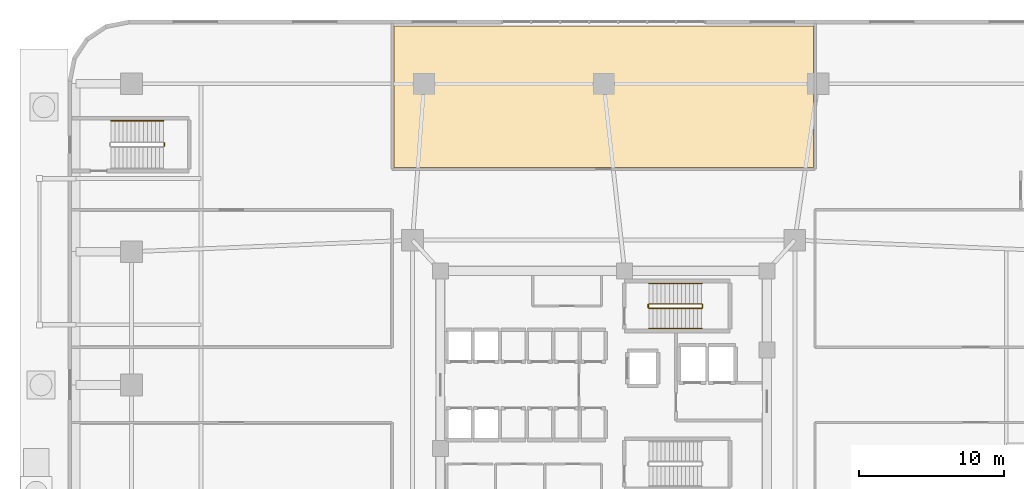
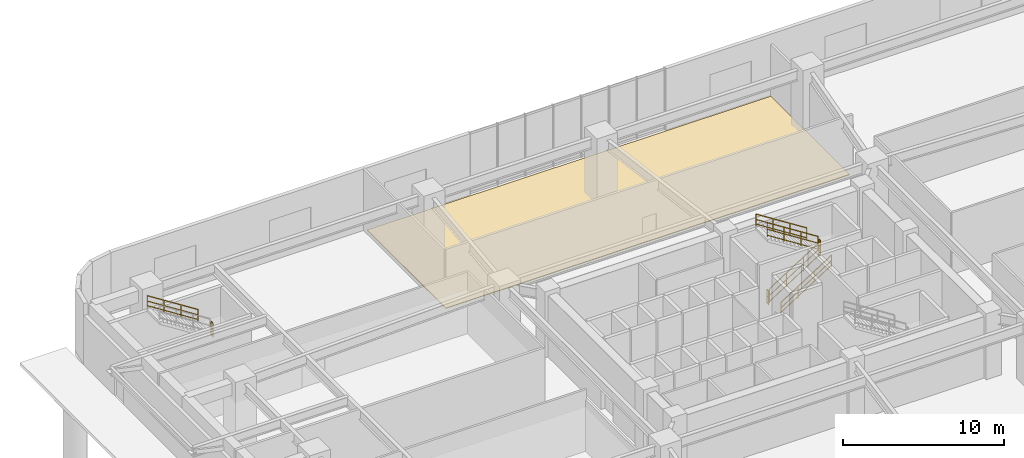
# One storey, part 17 of 18: 8 railings, 1 covering.
"""IFC4 building model written with IfcOpenShell, lengths in metres."""

import ifcopenshell
import ifcopenshell.guid

model = None  # the IFC model being written
_history = None  # IfcOwnerHistory: only IFC2X3 demands one
_inside = {}  # id of a spatial element -> (the spatial element, [elements in it])
_under = {}  # id of a project, library or spatial element -> (it, [spatial elements below it])
_declared = {}  # id of a project -> (the project, [libraries it declares])
_typed = {}  # id of a type object -> (the type object, [elements of that type])
_made_of = {}  # id of a material, layer set ... -> (it, [elements and type objects made of it])


def new_model(schema):
    """Start an empty IFC model of exactly this schema.

    Asked for "IFC4X3", IfcOpenShell would pick the latest addendum, in which some entities
    have other attributes; the version numbers below select the first issue.
    IFC2X3 requires an IfcOwnerHistory on every rooted entity: one is made here for all.
    """
    global model, _history
    if schema == "IFC4X3":
        model = ifcopenshell.file(schema_version=(4, 3, 0, 0))
    else:
        model = ifcopenshell.file(schema=schema)
    _inside.clear()
    _under.clear()
    _declared.clear()
    _typed.clear()
    _made_of.clear()
    _history = None
    if model.schema == "IFC2X3":
        org = make("IfcOrganization", Name="unknown")
        user = make(
            "IfcPersonAndOrganization",
            ThePerson=make("IfcPerson", FamilyName="unknown"),
            TheOrganization=org,
        )
        app = make(
            "IfcApplication",
            ApplicationDeveloper=org,
            Version="unknown",
            ApplicationFullName="unknown",
            ApplicationIdentifier="unknown",
        )
        _history = make(
            "IfcOwnerHistory",
            OwningUser=user,
            OwningApplication=app,
            ChangeAction="ADDED",
            CreationDate=0,
        )
    return model


def make(cls, **values):
    """One entity of the class cls with the attributes given. An attribute that is None is left unset."""
    return model.create_entity(
        cls, **{name: value for name, value in values.items() if value is not None}
    )


def rooted(cls, **values):
    """An entity with a GlobalId (a new one), such as an element, a storey or a relation."""
    return make(cls, GlobalId=ifcopenshell.guid.new(), OwnerHistory=_history, **values)


def si_unit(unit_type, name, prefix=None):
    """IfcSIUnit, for example si_unit("LENGTHUNIT", "METRE", prefix="MILLI")."""
    return make("IfcSIUnit", UnitType=unit_type, Prefix=prefix, Name=name)


def assignment(units):
    """IfcUnitAssignment: the units of a project."""
    return None if units is None else make("IfcUnitAssignment", Units=units)


def point(xyz):
    """IfcCartesianPoint."""
    return None if xyz is None else make("IfcCartesianPoint", Coordinates=xyz)


def direction(xyz):
    """IfcDirection."""
    return None if xyz is None else make("IfcDirection", DirectionRatios=xyz)


def frame(location, z_axis=None, x_axis=None):
    """IfcAxis2Placement3D, a coordinate frame: its origin and axes. An axis left out is left unset."""
    return make(
        "IfcAxis2Placement3D",
        Location=point(location),
        Axis=direction(z_axis),
        RefDirection=direction(x_axis),
    )


def frame_2d(location, x_axis=None):
    """IfcAxis2Placement2D, a coordinate frame in the plane: its origin and x axis."""
    return make(
        "IfcAxis2Placement2D", Location=point(location), RefDirection=direction(x_axis)
    )


def origin():
    """The frame at (0, 0, 0) with its axes left unset."""
    return frame((0.0, 0.0, 0.0))


def origin_2d():
    """The frame at (0, 0) in the plane with its x axis left unset."""
    return frame_2d((0.0, 0.0))


def place(relative_to, where):
    """IfcLocalPlacement: puts the frame where relative to a parent placement (None: the world)."""
    return make(
        "IfcLocalPlacement", PlacementRelTo=relative_to, RelativePlacement=where
    )


def context(
    kind, dimensions, precision=None, world=None, true_north=None, identifier=None
):
    """IfcGeometricRepresentationContext, for example the 3D "Model" context."""
    return make(
        "IfcGeometricRepresentationContext",
        ContextIdentifier=identifier,
        ContextType=kind,
        CoordinateSpaceDimension=dimensions,
        Precision=precision,
        WorldCoordinateSystem=world,
        TrueNorth=true_north,
    )


def subcontext(parent, identifier, kind, view, scale=None):
    """IfcGeometricRepresentationSubContext, for example "Body" below "Model"."""
    return make(
        "IfcGeometricRepresentationSubContext",
        ContextIdentifier=identifier,
        ContextType=kind,
        ParentContext=parent,
        TargetScale=scale,
        TargetView=view,
    )


def project(units=None, contexts=None):
    """IfcProject with its units and contexts."""
    return rooted(
        "IfcProject",
        Name="project",
        RepresentationContexts=contexts,
        UnitsInContext=assignment(units),
    )


def spatial(cls, under=None, at=None, **own):
    """A site, building, storey or space (cls), placed at a placement, below another one or the project."""
    s = rooted(cls, ObjectPlacement=at, **own)
    if under is not None:
        _under.setdefault(under.id(), (under, []))[1].append(s)
    return s


def polyline(points):
    """IfcPolyline through the points."""
    return make("IfcPolyline", Points=[point(p) for p in points])


def profile(cls, at=None, kind="AREA", **sizes):
    """A parametric profile (cls). Its sizes go by their IFC names, for example OverallWidth=200.0."""
    return make(cls, ProfileType=kind, Position=at, **sizes)


def rectangle(**sizes):
    """IfcRectangleProfileDef."""
    return profile("IfcRectangleProfileDef", **sizes)


def outline(outer, holes=None, kind="AREA"):
    """IfcArbitraryClosedProfileDef: a profile drawn as a closed curve; with holes, ...WithVoids."""
    if holes is None:
        return make("IfcArbitraryClosedProfileDef", ProfileType=kind, OuterCurve=outer)
    return make(
        "IfcArbitraryProfileDefWithVoids",
        ProfileType=kind,
        OuterCurve=outer,
        InnerCurves=holes,
    )


def extrude(swept, where, along, depth):
    """IfcExtrudedAreaSolid: the profile swept, set in the frame where, extruded along a direction by depth."""
    return make(
        "IfcExtrudedAreaSolid",
        SweptArea=swept,
        Position=where,
        ExtrudedDirection=direction(along),
        Depth=depth,
    )


def shape(context_of_items, identifier, shape_type, items):
    """IfcShapeRepresentation: the items that make up one representation, for example the "Body"."""
    return make(
        "IfcShapeRepresentation",
        ContextOfItems=context_of_items,
        RepresentationIdentifier=identifier,
        RepresentationType=shape_type,
        Items=items,
    )


def material(Name=None, Category=None):
    """IfcMaterial."""
    return make("IfcMaterial", Name=Name, Category=Category)


def layer(
    of_material, thickness, ventilated=None, Name=None, Category=None, Priority=None
):
    """IfcMaterialLayer: one layer of a wall or slab, of a material (None: an air gap)."""
    return make(
        "IfcMaterialLayer",
        Material=of_material,
        LayerThickness=thickness,
        IsVentilated=ventilated,
        Name=Name,
        Category=Category,
        Priority=Priority,
    )


def layer_set(layers, Name=None):
    """IfcMaterialLayerSet."""
    return make("IfcMaterialLayerSet", MaterialLayers=layers, LayerSetName=Name)


def made_of(thing, what):
    """Note that an element or type object is made of a material, layer set ...; save() writes the relation."""
    if what is not None:
        _made_of.setdefault(what.id(), (what, []))[1].append(thing)
    return thing


def type_object(cls, material=None, **own):
    """A type object (cls), such as IfcWallType, which elements share."""
    return made_of(rooted(cls, **own), material)


def element(
    cls,
    number,
    at=None,
    inside=None,
    cuts=None,
    type_object=None,
    material=None,
    context=None,
    identifier="Body",
    shape_type=None,
    held_by="IfcProductDefinitionShape",
    body=None,
    shapes=None,
    **own,
):
    """One element of the class cls, such as IfcWall. Its Tag is "e" and its number.

    at: its placement. inside: the storey or other place that contains it. cuts: it is an
    opening in that element (IfcRelVoidsElement). A single representation is given by context,
    identifier, shape_type and body (its items); several are given by shapes. held_by: the class
    of the entity that holds the representations. save() writes the other relations.
    """
    e = rooted(cls, Tag="e%d" % number, ObjectPlacement=at, **own)
    if body is not None:
        shapes = [shape(context, identifier, shape_type, body)]
    if shapes is not None:
        e.Representation = make(held_by, Representations=shapes)
    if inside is not None:
        _inside.setdefault(inside.id(), (inside, []))[1].append(e)
    if cuts is not None:
        rooted(
            "IfcRelVoidsElement", RelatingBuildingElement=cuts, RelatedOpeningElement=e
        )
    if type_object is not None:
        _typed.setdefault(type_object.id(), (type_object, []))[1].append(e)
    return made_of(e, material)


def aggregate(whole, parts):
    """IfcRelAggregates: a whole, such as a stair, and the parts it consists of."""
    return rooted("IfcRelAggregates", RelatingObject=whole, RelatedObjects=parts)


def save(model, path):
    """Write the relations noted so far, then the file.

    IfcRelAggregates (storeys below a building ...), IfcRelContainedInSpatialStructure (elements
    in a storey), IfcRelDefinesByType, IfcRelAssociatesMaterial and IfcRelDeclares: one each for
    every whole, place, type object, material and project.
    """
    for whole, parts in _under.values():
        aggregate(whole, parts)
    for where, things in _inside.values():
        rooted(
            "IfcRelContainedInSpatialStructure",
            RelatedElements=things,
            RelatingStructure=where,
        )
    for kind, things in _typed.values():
        rooted("IfcRelDefinesByType", RelatedObjects=things, RelatingType=kind)
    for what, things in _made_of.values():
        rooted("IfcRelAssociatesMaterial", RelatedObjects=things, RelatingMaterial=what)
    for by, libraries in _declared.values():
        rooted("IfcRelDeclares", RelatingContext=by, RelatedDefinitions=libraries)
    model.write(path)


model = new_model("IFC4")

# Units and contexts
model_context = context("Model", 3, precision=1e-05, world=origin(), true_north=direction((0.0, 1.0)))
body_context = subcontext(model_context, "Body", "Model", "MODEL_VIEW")
ifc_project = project(units=[si_unit("LENGTHUNIT", "METRE"), si_unit("AREAUNIT", "SQUARE_METRE"), si_unit("VOLUMEUNIT", "CUBIC_METRE"), si_unit("PLANEANGLEUNIT", "RADIAN"), si_unit("MASSUNIT", "GRAM", prefix="KILO")], contexts=[model_context])

# Site, building, storey
site_placement = place(None, origin())
site = spatial("IfcSite", under=ifc_project, at=site_placement, CompositionType="ELEMENT")
building_placement = place(site_placement, origin())
building = spatial("IfcBuilding", under=site, at=building_placement, Name="Zulverin Broadcast Headquarters", CompositionType="ELEMENT")
storey_placement = place(building_placement, origin())
storey = spatial("IfcBuildingStorey", under=building, at=storey_placement, Name="L00", CompositionType="ELEMENT", Elevation=0.0)

# Covering
ifc_material_1 = material(Name="Anti-static broadcast raised access flooring", Category="stone")
ifc_layer = layer(ifc_material_1, 0.050048828125, Name="Anti-static broadcast raised access flooring", Category="stone")
ifc_layer_set = layer_set([ifc_layer], Name="Anti-static broadcast raised access flooring")
covering_type = type_object("IfcCoveringType", Name="COV-FLR-RAISED", PredefinedType="FLOORING", material=ifc_layer_set)
covering_placement = place(storey_placement, origin())
element("IfcCovering", 1, at=covering_placement, inside=storey, type_object=covering_type, Name="L00 Broadcast Raised Access Flooring 01", PredefinedType="FLOORING", context=body_context, shape_type="SweptSolid", body=[
    extrude(outline(polyline([(51.47998046875, 50.0), (22.52001953125, 50.0), (22.52001953125, 40.219970703125), (51.47998046875, 40.219970703125), (51.47998046875, 50.0)])), origin(), (0.0, 0.0, 1.0), 0.050048828125),
])

# Railings
ifc_material_2 = material(Name="Painted galvanized steel tubular guardrail S355JR", Category="steel")
railing_type_1 = type_object("IfcRailingType", Name="RL-ST-GUARD", PredefinedType="GUARDRAIL", material=ifc_material_2)
railing_1_placement = place(storey_placement, frame((40.1298828125, 30.5, 0.178466796875)))
element("IfcRailing", 2, at=railing_1_placement, inside=storey, type_object=railing_type_1, Name="L00 ST-1 stair guard 1", PredefinedType="GUARDRAIL", context=body_context, shape_type="SweptSolid", body=[
    extrude(rectangle(XDim=0.048095703125, YDim=0.048095703125, at=origin_2d()), frame((0.0, 0.0, 1.076171875), z_axis=(0.843127859045, 0.0, 0.537713132908), x_axis=(0.0, 1.0, 0.0)), (0.0, 0.0, 1.0), 4.3173828125),
    extrude(rectangle(XDim=0.0419921875, YDim=0.0419921875, at=origin_2d()), frame((0.0, 0.0, 0.572021484375), z_axis=(0.843127859045, 0.0, 0.537713132908), x_axis=(0.0, 1.0, 0.0)), (0.0, 0.0, 1.0), 4.3173828125),
    extrude(rectangle(XDim=0.0419921875, YDim=0.0419921875, at=origin_2d()), frame((0.0, 0.0, 0.1201171875), z_axis=(0.843127859045, 0.0, 0.537713132908), x_axis=(0.0, 1.0, 0.0)), (0.0, 0.0, 1.0), 4.3173828125),
    extrude(rectangle(XDim=0.0419921875, YDim=0.0419921875, at=origin_2d()), origin(), (0.0, 0.0, 1.0), 1.052001953125),
    extrude(rectangle(XDim=0.0419921875, YDim=0.0419921875, at=origin_2d()), frame((1.21337890625, 0.0, 0.77392578125)), (0.0, 0.0, 1.0), 1.052001953125),
    extrude(rectangle(XDim=0.0419921875, YDim=0.0419921875, at=origin_2d()), frame((2.4267578125, 0.0, 1.547607421875)), (0.0, 0.0, 1.0), 1.052001953125),
    extrude(rectangle(XDim=0.0419921875, YDim=0.0419921875, at=origin_2d()), frame((3.64013671875, 0.0, 2.321533203125)), (0.0, 0.0, 1.0), 1.052001953125),
])
railing_2_placement = place(storey_placement, frame((43.820068359375, 30.550048828125, 2.5)))
element("IfcRailing", 3, at=railing_2_placement, inside=storey, type_object=railing_type_1, Name="L00 ST-1 stair guard 2", PredefinedType="GUARDRAIL", context=body_context, shape_type="SweptSolid", body=[
    extrude(rectangle(XDim=0.048095703125, YDim=0.048095703125, at=origin_2d()), frame((0.0, 0.0, 1.076171875), z_axis=(0.0, 1.0, 0.0), x_axis=(-1.0, 0.0, 0.0)), (0.0, 0.0, 1.0), 0.199951171875),
    extrude(rectangle(XDim=0.0419921875, YDim=0.0419921875, at=origin_2d()), frame((0.0, 0.0, 0.572021484375), z_axis=(0.0, 1.0, 0.0), x_axis=(-1.0, 0.0, 0.0)), (0.0, 0.0, 1.0), 0.199951171875),
    extrude(rectangle(XDim=0.0419921875, YDim=0.0419921875, at=origin_2d()), frame((0.0, 0.0, 0.1201171875), z_axis=(0.0, 1.0, 0.0), x_axis=(-1.0, 0.0, 0.0)), (0.0, 0.0, 1.0), 0.199951171875),
    extrude(rectangle(XDim=0.0419921875, YDim=0.0419921875, at=origin_2d()), origin(), (0.0, 0.0, 1.0), 1.052001953125),
    extrude(rectangle(XDim=0.0419921875, YDim=0.0419921875, at=origin_2d()), frame((0.0, 0.199951171875, 0.0)), (0.0, 0.0, 1.0), 1.052001953125),
])
railing_3_placement = place(storey_placement, frame((43.77001953125, 30.800048828125, 2.678466796875)))
element("IfcRailing", 4, at=railing_3_placement, inside=storey, type_object=railing_type_1, Name="L00 ST-1 stair guard 3", PredefinedType="GUARDRAIL", context=body_context, shape_type="SweptSolid", body=[
    extrude(rectangle(XDim=0.048095703125, YDim=0.048095703125, at=origin_2d()), frame((0.0, 0.0, 1.076171875), z_axis=(-0.843127859045, 0.0, 0.537713132908), x_axis=(0.0, -1.0, 0.0)), (0.0, 0.0, 1.0), 4.3173828125),
    extrude(rectangle(XDim=0.0419921875, YDim=0.0419921875, at=origin_2d()), frame((0.0, 0.0, 0.572021484375), z_axis=(-0.843127859045, 0.0, 0.537713132908), x_axis=(0.0, -1.0, 0.0)), (0.0, 0.0, 1.0), 4.3173828125),
    extrude(rectangle(XDim=0.0419921875, YDim=0.0419921875, at=origin_2d()), frame((0.0, 0.0, 0.1201171875), z_axis=(-0.843127859045, 0.0, 0.537713132908), x_axis=(0.0, -1.0, 0.0)), (0.0, 0.0, 1.0), 4.3173828125),
    extrude(rectangle(XDim=0.0419921875, YDim=0.0419921875, at=origin_2d()), origin(), (0.0, 0.0, 1.0), 1.052001953125),
    extrude(rectangle(XDim=0.0419921875, YDim=0.0419921875, at=origin_2d()), frame((-1.21337890625, 0.0, 0.77392578125)), (0.0, 0.0, 1.0), 1.052001953125),
    extrude(rectangle(XDim=0.0419921875, YDim=0.0419921875, at=origin_2d()), frame((-2.4267578125, 0.0, 1.547607421875)), (0.0, 0.0, 1.0), 1.052001953125),
    extrude(rectangle(XDim=0.0419921875, YDim=0.0419921875, at=origin_2d()), frame((-3.64013671875, 0.0, 2.321533203125)), (0.0, 0.0, 1.0), 1.052001953125),
])
for number, where, name in (
    (5, (40.080078125, 30.550048828125, 0.0), "L00 ST-1 stair guard 4"),
    (6, (6.659912109375, 41.699951171875, 2.5), "L00 ST-3 stair guard 2"),
):
    element("IfcRailing", number, at=place(storey_placement, frame(where)), inside=storey, type_object=railing_type_1, Name=name, PredefinedType="GUARDRAIL", context=body_context, shape_type="SweptSolid", body=[
        extrude(rectangle(XDim=0.048095703125, YDim=0.048095703125, at=origin_2d()), frame((0.0, 0.0, 1.076171875), z_axis=(0.0, 1.0, 0.0), x_axis=(-1.0, 0.0, 0.0)), (0.0, 0.0, 1.0), 0.199951171875),
        extrude(rectangle(XDim=0.0419921875, YDim=0.0419921875, at=origin_2d()), frame((0.0, 0.0, 0.572021484375), z_axis=(0.0, 1.0, 0.0), x_axis=(-1.0, 0.0, 0.0)), (0.0, 0.0, 1.0), 0.199951171875),
        extrude(rectangle(XDim=0.0419921875, YDim=0.0419921875, at=origin_2d()), frame((0.0, 0.0, 0.1201171875), z_axis=(0.0, 1.0, 0.0), x_axis=(-1.0, 0.0, 0.0)), (0.0, 0.0, 1.0), 0.199951171875),
        extrude(rectangle(XDim=0.0419921875, YDim=0.0419921875, at=origin_2d()), origin(), (0.0, 0.0, 1.0), 1.052001953125),
        extrude(rectangle(XDim=0.0419921875, YDim=0.0419921875, at=origin_2d()), frame((0.0, 0.199951171875, 0.0)), (0.0, 0.0, 1.0), 1.052001953125),
    ])
ifc_material_3 = material(Name="Brushed stainless steel 48 mm handrail", Category="steel")
railing_type_2 = type_object("IfcRailingType", Name="RL-ST-HAND", PredefinedType="HANDRAIL", material=ifc_material_3)
railing_4_placement = place(storey_placement, frame((40.1298828125, 29.10009765625, 0.178466796875)))
element("IfcRailing", 7, at=railing_4_placement, inside=storey, type_object=railing_type_2, Name="L00 ST-1 stair handrail 1", PredefinedType="HANDRAIL", context=body_context, shape_type="SweptSolid", body=[
    extrude(rectangle(XDim=0.048095703125, YDim=0.048095703125, at=origin_2d()), frame((0.0, 0.0, 0.8759765625), z_axis=(0.843127859045, 0.0, 0.537713132908), x_axis=(0.0, 1.0, 0.0)), (0.0, 0.0, 1.0), 4.3173828125),
    extrude(rectangle(XDim=0.0419921875, YDim=0.0419921875, at=origin_2d()), frame((0.0, 0.0, 0.468017578125), z_axis=(0.843127859045, 0.0, 0.537713132908), x_axis=(0.0, 1.0, 0.0)), (0.0, 0.0, 1.0), 4.3173828125),
    extrude(rectangle(XDim=0.0419921875, YDim=0.0419921875, at=origin_2d()), frame((0.0, 0.0, 0.1201171875), z_axis=(0.843127859045, 0.0, 0.537713132908), x_axis=(0.0, 1.0, 0.0)), (0.0, 0.0, 1.0), 4.3173828125),
    extrude(rectangle(XDim=0.0419921875, YDim=0.0419921875, at=origin_2d()), origin(), (0.0, 0.0, 1.0), 0.851806640625),
    extrude(rectangle(XDim=0.0419921875, YDim=0.0419921875, at=origin_2d()), frame((1.21337890625, 0.0, 0.77392578125)), (0.0, 0.0, 1.0), 0.851806640625),
    extrude(rectangle(XDim=0.0419921875, YDim=0.0419921875, at=origin_2d()), frame((2.4267578125, 0.0, 1.547607421875)), (0.0, 0.0, 1.0), 0.851806640625),
    extrude(rectangle(XDim=0.0419921875, YDim=0.0419921875, at=origin_2d()), frame((3.64013671875, 0.0, 2.321533203125)), (0.0, 0.0, 1.0), 0.851806640625),
])
for number, where, name in (
    (8, (43.77001953125, 32.199951171875, 2.678466796875), "L00 ST-1 stair handrail 2"),
    (9, (6.610107421875, 43.449951171875, 2.678466796875), "L00 ST-3 stair handrail 2"),
):
    element("IfcRailing", number, at=place(storey_placement, frame(where)), inside=storey, type_object=railing_type_2, Name=name, PredefinedType="HANDRAIL", context=body_context, shape_type="SweptSolid", body=[
        extrude(rectangle(XDim=0.048095703125, YDim=0.048095703125, at=origin_2d()), frame((0.0, 0.0, 0.8759765625), z_axis=(-0.843127859045, 0.0, 0.537713132908), x_axis=(0.0, -1.0, 0.0)), (0.0, 0.0, 1.0), 4.3173828125),
        extrude(rectangle(XDim=0.0419921875, YDim=0.0419921875, at=origin_2d()), frame((0.0, 0.0, 0.468017578125), z_axis=(-0.843127859045, 0.0, 0.537713132908), x_axis=(0.0, -1.0, 0.0)), (0.0, 0.0, 1.0), 4.3173828125),
        extrude(rectangle(XDim=0.0419921875, YDim=0.0419921875, at=origin_2d()), frame((0.0, 0.0, 0.1201171875), z_axis=(-0.843127859045, 0.0, 0.537713132908), x_axis=(0.0, -1.0, 0.0)), (0.0, 0.0, 1.0), 4.3173828125),
        extrude(rectangle(XDim=0.0419921875, YDim=0.0419921875, at=origin_2d()), origin(), (0.0, 0.0, 1.0), 0.851806640625),
        extrude(rectangle(XDim=0.0419921875, YDim=0.0419921875, at=origin_2d()), frame((-1.21337890625, 0.0, 0.77392578125)), (0.0, 0.0, 1.0), 0.851806640625),
        extrude(rectangle(XDim=0.0419921875, YDim=0.0419921875, at=origin_2d()), frame((-2.4267578125, 0.0, 1.547607421875)), (0.0, 0.0, 1.0), 0.851806640625),
        extrude(rectangle(XDim=0.0419921875, YDim=0.0419921875, at=origin_2d()), frame((-3.64013671875, 0.0, 2.321533203125)), (0.0, 0.0, 1.0), 0.851806640625),
    ])

save(model, "model.ifc")
